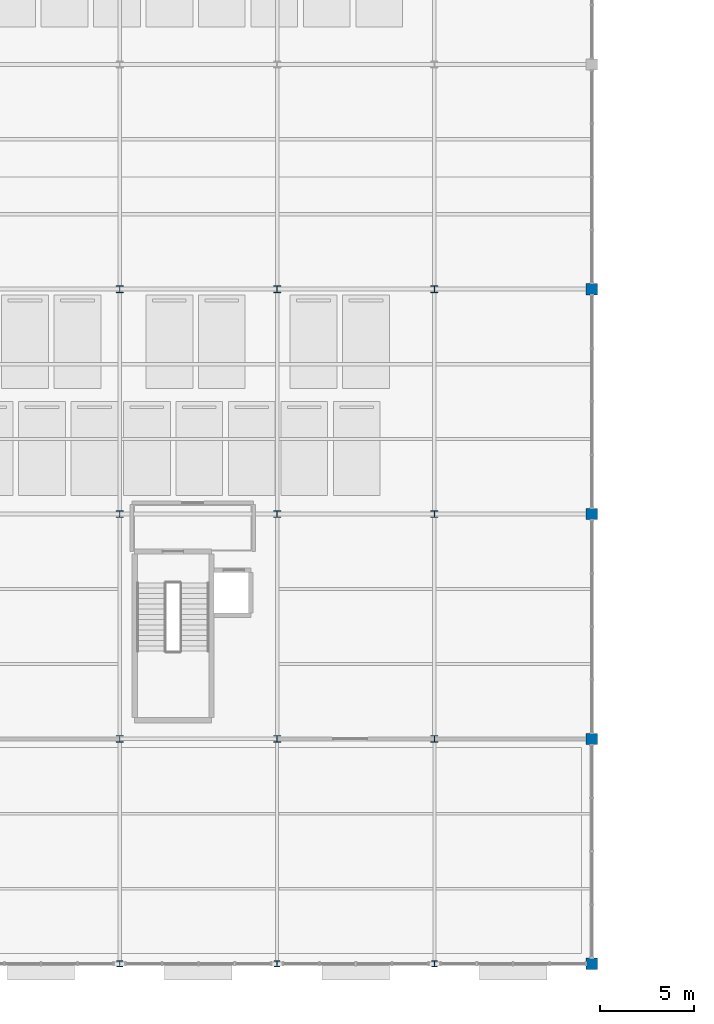
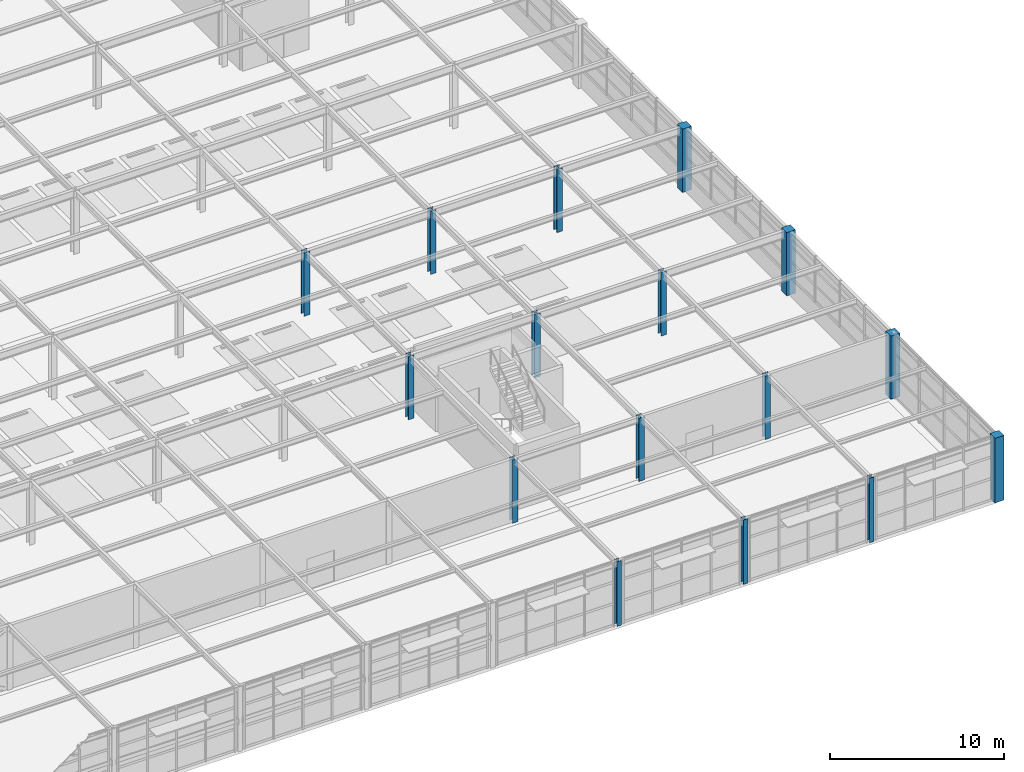
# One storey, part 13 of 82: 16 columns.
"""IFC4 building model written with IfcOpenShell, lengths in metres."""

import ifcopenshell
import ifcopenshell.guid

model = None  # the IFC model being written
_history = None  # IfcOwnerHistory: only IFC2X3 demands one
_inside = {}  # id of a spatial element -> (the spatial element, [elements in it])
_under = {}  # id of a project, library or spatial element -> (it, [spatial elements below it])
_declared = {}  # id of a project -> (the project, [libraries it declares])
_typed = {}  # id of a type object -> (the type object, [elements of that type])
_made_of = {}  # id of a material, layer set ... -> (it, [elements and type objects made of it])


def new_model(schema):
    """Start an empty IFC model of exactly this schema.

    Asked for "IFC4X3", IfcOpenShell would pick the latest addendum, in which some entities
    have other attributes; the version numbers below select the first issue.
    IFC2X3 requires an IfcOwnerHistory on every rooted entity: one is made here for all.
    """
    global model, _history
    if schema == "IFC4X3":
        model = ifcopenshell.file(schema_version=(4, 3, 0, 0))
    else:
        model = ifcopenshell.file(schema=schema)
    _inside.clear()
    _under.clear()
    _declared.clear()
    _typed.clear()
    _made_of.clear()
    _history = None
    if model.schema == "IFC2X3":
        org = make("IfcOrganization", Name="unknown")
        user = make(
            "IfcPersonAndOrganization",
            ThePerson=make("IfcPerson", FamilyName="unknown"),
            TheOrganization=org,
        )
        app = make(
            "IfcApplication",
            ApplicationDeveloper=org,
            Version="unknown",
            ApplicationFullName="unknown",
            ApplicationIdentifier="unknown",
        )
        _history = make(
            "IfcOwnerHistory",
            OwningUser=user,
            OwningApplication=app,
            ChangeAction="ADDED",
            CreationDate=0,
        )
    return model


def make(cls, **values):
    """One entity of the class cls with the attributes given. An attribute that is None is left unset."""
    return model.create_entity(
        cls, **{name: value for name, value in values.items() if value is not None}
    )


def rooted(cls, **values):
    """An entity with a GlobalId (a new one), such as an element, a storey or a relation."""
    return make(cls, GlobalId=ifcopenshell.guid.new(), OwnerHistory=_history, **values)


def si_unit(unit_type, name, prefix=None):
    """IfcSIUnit, for example si_unit("LENGTHUNIT", "METRE", prefix="MILLI")."""
    return make("IfcSIUnit", UnitType=unit_type, Prefix=prefix, Name=name)


def assignment(units):
    """IfcUnitAssignment: the units of a project."""
    return None if units is None else make("IfcUnitAssignment", Units=units)


def point(xyz):
    """IfcCartesianPoint."""
    return None if xyz is None else make("IfcCartesianPoint", Coordinates=xyz)


def direction(xyz):
    """IfcDirection."""
    return None if xyz is None else make("IfcDirection", DirectionRatios=xyz)


def frame(location, z_axis=None, x_axis=None):
    """IfcAxis2Placement3D, a coordinate frame: its origin and axes. An axis left out is left unset."""
    return make(
        "IfcAxis2Placement3D",
        Location=point(location),
        Axis=direction(z_axis),
        RefDirection=direction(x_axis),
    )


def frame_2d(location, x_axis=None):
    """IfcAxis2Placement2D, a coordinate frame in the plane: its origin and x axis."""
    return make(
        "IfcAxis2Placement2D", Location=point(location), RefDirection=direction(x_axis)
    )


def origin():
    """The frame at (0, 0, 0) with its axes left unset."""
    return frame((0.0, 0.0, 0.0))


def origin_2d():
    """The frame at (0, 0) in the plane with its x axis left unset."""
    return frame_2d((0.0, 0.0))


def place(relative_to, where):
    """IfcLocalPlacement: puts the frame where relative to a parent placement (None: the world)."""
    return make(
        "IfcLocalPlacement", PlacementRelTo=relative_to, RelativePlacement=where
    )


def context(
    kind, dimensions, precision=None, world=None, true_north=None, identifier=None
):
    """IfcGeometricRepresentationContext, for example the 3D "Model" context."""
    return make(
        "IfcGeometricRepresentationContext",
        ContextIdentifier=identifier,
        ContextType=kind,
        CoordinateSpaceDimension=dimensions,
        Precision=precision,
        WorldCoordinateSystem=world,
        TrueNorth=true_north,
    )


def subcontext(parent, identifier, kind, view, scale=None):
    """IfcGeometricRepresentationSubContext, for example "Body" below "Model"."""
    return make(
        "IfcGeometricRepresentationSubContext",
        ContextIdentifier=identifier,
        ContextType=kind,
        ParentContext=parent,
        TargetScale=scale,
        TargetView=view,
    )


def project(units=None, contexts=None):
    """IfcProject with its units and contexts."""
    return rooted(
        "IfcProject",
        Name="project",
        RepresentationContexts=contexts,
        UnitsInContext=assignment(units),
    )


def spatial(cls, under=None, at=None, **own):
    """A site, building, storey or space (cls), placed at a placement, below another one or the project."""
    s = rooted(cls, ObjectPlacement=at, **own)
    if under is not None:
        _under.setdefault(under.id(), (under, []))[1].append(s)
    return s


def profile(cls, at=None, kind="AREA", **sizes):
    """A parametric profile (cls). Its sizes go by their IFC names, for example OverallWidth=200.0."""
    return make(cls, ProfileType=kind, Position=at, **sizes)


def rectangle(**sizes):
    """IfcRectangleProfileDef."""
    return profile("IfcRectangleProfileDef", **sizes)


def i_section(**sizes):
    """IfcIShapeProfileDef."""
    return profile("IfcIShapeProfileDef", **sizes)


def extrude(swept, where, along, depth):
    """IfcExtrudedAreaSolid: the profile swept, set in the frame where, extruded along a direction by depth."""
    return make(
        "IfcExtrudedAreaSolid",
        SweptArea=swept,
        Position=where,
        ExtrudedDirection=direction(along),
        Depth=depth,
    )


def shape(context_of_items, identifier, shape_type, items):
    """IfcShapeRepresentation: the items that make up one representation, for example the "Body"."""
    return make(
        "IfcShapeRepresentation",
        ContextOfItems=context_of_items,
        RepresentationIdentifier=identifier,
        RepresentationType=shape_type,
        Items=items,
    )


def material(Name=None, Category=None):
    """IfcMaterial."""
    return make("IfcMaterial", Name=Name, Category=Category)


def material_profile(
    of_material, cross_section, Name=None, Category=None, Priority=None
):
    """IfcMaterialProfile: a cross section and its material."""
    return make(
        "IfcMaterialProfile",
        Name=Name,
        Material=of_material,
        Profile=cross_section,
        Priority=Priority,
        Category=Category,
    )


def profile_set(profiles, Name=None, composite=None):
    """IfcMaterialProfileSet."""
    return make(
        "IfcMaterialProfileSet",
        Name=Name,
        MaterialProfiles=profiles,
        CompositeProfile=composite,
    )


def made_of(thing, what):
    """Note that an element or type object is made of a material, layer set ...; save() writes the relation."""
    if what is not None:
        _made_of.setdefault(what.id(), (what, []))[1].append(thing)
    return thing


def type_object(cls, material=None, **own):
    """A type object (cls), such as IfcWallType, which elements share."""
    return made_of(rooted(cls, **own), material)


def element(
    cls,
    number,
    at=None,
    inside=None,
    cuts=None,
    type_object=None,
    material=None,
    context=None,
    identifier="Body",
    shape_type=None,
    held_by="IfcProductDefinitionShape",
    body=None,
    shapes=None,
    **own,
):
    """One element of the class cls, such as IfcWall. Its Tag is "e" and its number.

    at: its placement. inside: the storey or other place that contains it. cuts: it is an
    opening in that element (IfcRelVoidsElement). A single representation is given by context,
    identifier, shape_type and body (its items); several are given by shapes. held_by: the class
    of the entity that holds the representations. save() writes the other relations.
    """
    e = rooted(cls, Tag="e%d" % number, ObjectPlacement=at, **own)
    if body is not None:
        shapes = [shape(context, identifier, shape_type, body)]
    if shapes is not None:
        e.Representation = make(held_by, Representations=shapes)
    if inside is not None:
        _inside.setdefault(inside.id(), (inside, []))[1].append(e)
    if cuts is not None:
        rooted(
            "IfcRelVoidsElement", RelatingBuildingElement=cuts, RelatedOpeningElement=e
        )
    if type_object is not None:
        _typed.setdefault(type_object.id(), (type_object, []))[1].append(e)
    return made_of(e, material)


def aggregate(whole, parts):
    """IfcRelAggregates: a whole, such as a stair, and the parts it consists of."""
    return rooted("IfcRelAggregates", RelatingObject=whole, RelatedObjects=parts)


def save(model, path):
    """Write the relations noted so far, then the file.

    IfcRelAggregates (storeys below a building ...), IfcRelContainedInSpatialStructure (elements
    in a storey), IfcRelDefinesByType, IfcRelAssociatesMaterial and IfcRelDeclares: one each for
    every whole, place, type object, material and project.
    """
    for whole, parts in _under.values():
        aggregate(whole, parts)
    for where, things in _inside.values():
        rooted(
            "IfcRelContainedInSpatialStructure",
            RelatedElements=things,
            RelatingStructure=where,
        )
    for kind, things in _typed.values():
        rooted("IfcRelDefinesByType", RelatedObjects=things, RelatingType=kind)
    for what, things in _made_of.values():
        rooted("IfcRelAssociatesMaterial", RelatedObjects=things, RelatingMaterial=what)
    for by, libraries in _declared.values():
        rooted("IfcRelDeclares", RelatingContext=by, RelatedDefinitions=libraries)
    model.write(path)


model = new_model("IFC4")

# Units and contexts
model_context = context("Model", 3, precision=1e-05, world=origin(), true_north=direction((0.0, 1.0)))
body_context = subcontext(model_context, "Body", "Model", "MODEL_VIEW")
ifc_project = project(units=[si_unit("LENGTHUNIT", "METRE"), si_unit("AREAUNIT", "SQUARE_METRE"), si_unit("VOLUMEUNIT", "CUBIC_METRE"), si_unit("PLANEANGLEUNIT", "RADIAN"), si_unit("MASSUNIT", "GRAM", prefix="KILO")], contexts=[model_context])

# Site, building, storey
site_placement = place(None, origin())
site = spatial("IfcSite", under=ifc_project, at=site_placement, CompositionType="ELEMENT")
building_placement = place(site_placement, origin())
building = spatial("IfcBuilding", under=site, at=building_placement, Name="Sitalva Quay Ferry Terminal", CompositionType="ELEMENT")
storey_placement = place(building_placement, frame((0.0, 0.0, 5.39990234375)))
storey = spatial("IfcBuildingStorey", under=building, at=storey_placement, Name="L02", CompositionType="ELEMENT", Elevation=5.39990234375)

# Columns
ifc_material_1 = material(Name="Concrete C35/45", Category="concrete")
ifc_material_profile_1 = material_profile(ifc_material_1, rectangle(XDim=0.60009765625, YDim=0.60009765625, at=origin_2d()), Name="RC600x600")
ifc_profile_set_1 = profile_set([ifc_material_profile_1], Name="Concrete C35/45")
column_type_1 = type_object("IfcColumnType", Name="Col_RC600x600", PredefinedType="COLUMN", material=ifc_profile_set_1)
column_placement = place(storey_placement, frame((168.0, 6.0, 0.0), z_axis=(0.0, 0.0, 1.0), x_axis=(1.0, 0.0, 0.0)))
element("IfcColumn", 1, at=column_placement, inside=storey, type_object=column_type_1, Name="L02 column 21C", PredefinedType="COLUMN", context=body_context, shape_type="SweptSolid", body=[
    extrude(rectangle(XDim=0.60009765625, YDim=0.60009765625, at=origin_2d()), origin(), (0.0, 0.0, 1.0), 4.5400390625),
])
for number, where, z_axis, x_axis, name in (
    (2, (168.0, 18.0, 0.0), (0.0, 0.0, 1.0), (1.0, 0.0, 0.0), "L02 column 21D"),
    (3, (168.0, 30.0, 0.0), (0.0, 0.0, 1.0), (1.0, 0.0, 0.0), "L02 column 21E"),
    (4, (168.0, 42.0, 0.0), (0.0, 0.0, 1.0), (1.0, 0.0, 0.0), "L02 column 21F"),
):
    element("IfcColumn", number, at=place(storey_placement, frame(where, z_axis=z_axis, x_axis=x_axis)), inside=storey, type_object=column_type_1, Name=name, PredefinedType="COLUMN", context=body_context, shape_type="SweptSolid", body=[
        extrude(rectangle(XDim=0.60009765625, YDim=0.60009765625, at=origin_2d()), origin(), (0.0, 0.0, 1.0), 4.4501953125),
    ])
ifc_material_2 = material(Name="Structural Steel S355JR", Category="steel")
ifc_material_profile_2 = material_profile(ifc_material_2, i_section(OverallWidth=0.305908203125, OverallDepth=0.31103515625, WebThickness=0.010986328125, FlangeThickness=0.01708984375, FilletRadius=0.014892578125, at=origin_2d()), Name="W310x107")
ifc_profile_set_2 = profile_set([ifc_material_profile_2], Name="Structural Steel S355JR")
column_type_2 = type_object("IfcColumnType", Name="Col_W310x107", PredefinedType="COLUMN", material=ifc_profile_set_2)
for number, where, z_axis, x_axis, name in (
    (5, (142.800048828125, 6.0, 0.0), (0.0, 0.0, 1.0), (1.0, 0.0, 0.0), "L02 column 18C"),
    (6, (151.199951171875, 6.0, 0.0), (0.0, 0.0, 1.0), (1.0, 0.0, 0.0), "L02 column 19C"),
    (7, (159.60009765625, 6.0, 0.0), (0.0, 0.0, 1.0), (1.0, 0.0, 0.0), "L02 column 20C"),
):
    element("IfcColumn", number, at=place(storey_placement, frame(where, z_axis=z_axis, x_axis=x_axis)), inside=storey, type_object=column_type_2, Name=name, PredefinedType="COLUMN", context=body_context, shape_type="SweptSolid", body=[
        extrude(i_section(OverallWidth=0.305908203125, OverallDepth=0.31103515625, WebThickness=0.010986328125, FlangeThickness=0.01708984375, FilletRadius=0.014892578125, at=origin_2d()), origin(), (0.0, 0.0, 1.0), 4.5400390625),
    ])
ifc_material_3 = material(Name="Structural Steel S355JR", Category="steel")
ifc_material_profile_3 = material_profile(ifc_material_3, i_section(OverallWidth=0.368896484375, OverallDepth=0.35595703125, WebThickness=0.01123046875, FlangeThickness=0.01806640625, FilletRadius=0.014892578125, at=origin_2d()), Name="W360x134")
ifc_profile_set_3 = profile_set([ifc_material_profile_3], Name="Structural Steel S355JR")
column_type_3 = type_object("IfcColumnType", Name="Col_W360x134", PredefinedType="COLUMN", material=ifc_profile_set_3)
for number, where, z_axis, x_axis, name in (
    (8, (142.800048828125, 18.0, 0.0), (0.0, 0.0, 1.0), (1.0, 0.0, 0.0), "L02 column 18D"),
    (9, (151.199951171875, 18.0, 0.0), (0.0, 0.0, 1.0), (1.0, 0.0, 0.0), "L02 column 19D"),
    (10, (159.60009765625, 18.0, 0.0), (0.0, 0.0, 1.0), (1.0, 0.0, 0.0), "L02 column 20D"),
    (11, (142.800048828125, 30.0, 0.0), (0.0, 0.0, 1.0), (1.0, 0.0, 0.0), "L02 column 18E"),
    (12, (151.199951171875, 30.0, 0.0), (0.0, 0.0, 1.0), (1.0, 0.0, 0.0), "L02 column 19E"),
    (13, (159.60009765625, 30.0, 0.0), (0.0, 0.0, 1.0), (1.0, 0.0, 0.0), "L02 column 20E"),
    (14, (142.800048828125, 42.0, 0.0), (0.0, 0.0, 1.0), (1.0, 0.0, 0.0), "L02 column 18F"),
    (15, (151.199951171875, 42.0, 0.0), (0.0, 0.0, 1.0), (1.0, 0.0, 0.0), "L02 column 19F"),
    (16, (159.60009765625, 42.0, 0.0), (0.0, 0.0, 1.0), (1.0, 0.0, 0.0), "L02 column 20F"),
):
    element("IfcColumn", number, at=place(storey_placement, frame(where, z_axis=z_axis, x_axis=x_axis)), inside=storey, type_object=column_type_3, Name=name, PredefinedType="COLUMN", context=body_context, shape_type="SweptSolid", body=[
        extrude(i_section(OverallWidth=0.368896484375, OverallDepth=0.35595703125, WebThickness=0.01123046875, FlangeThickness=0.01806640625, FilletRadius=0.014892578125, at=origin_2d()), origin(), (0.0, 0.0, 1.0), 4.4501953125),
    ])

save(model, "model.ifc")
